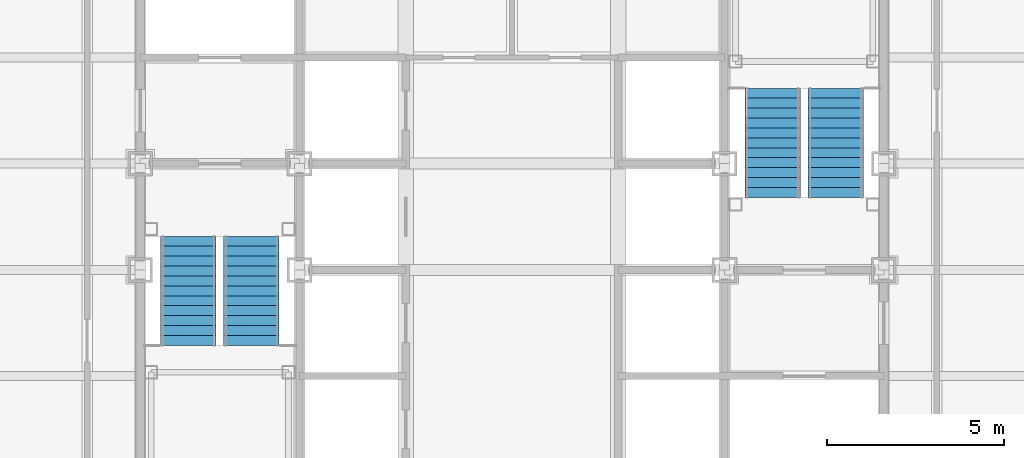
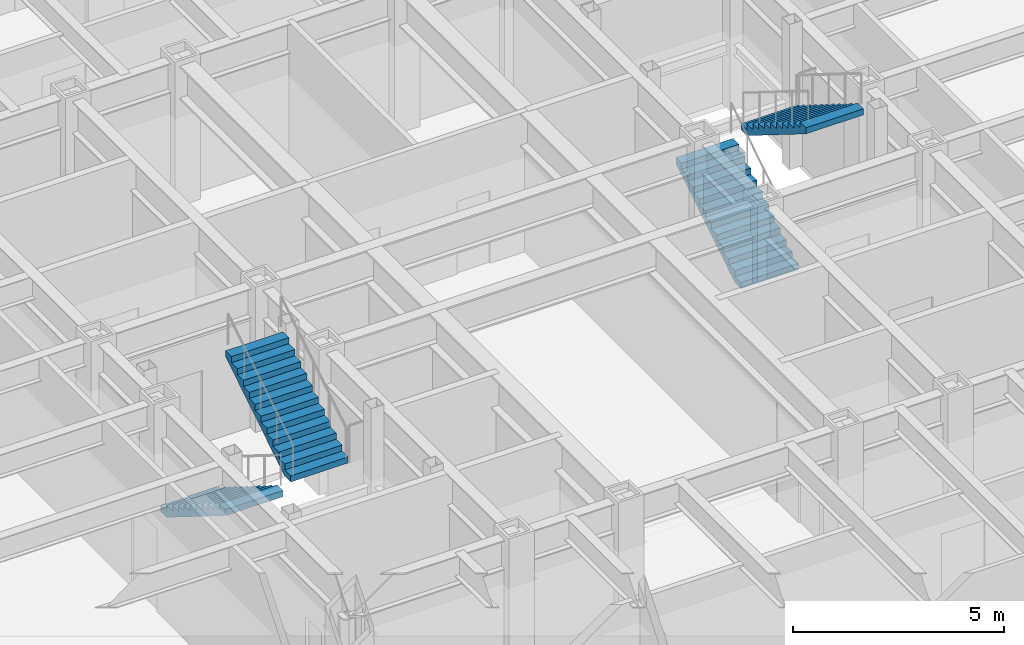
# One storey, part 13 of 16: 4 stair flights, 2 elements without a shape of their own.
"""IFC4 building model written with IfcOpenShell, lengths in metres."""

from ifc_helpers import new_model, si_unit, direction, frame, origin, place, context, subcontext, project, spatial, faceted_brep, material, type_object, element, aggregate, save


model = new_model("IFC4")

# Units and contexts
model_context = context("Model", 3, precision=1e-05, world=origin(), true_north=direction((0.0, 1.0)))
body_context = subcontext(model_context, "Body", "Model", "MODEL_VIEW")
ifc_project = project(units=[si_unit("LENGTHUNIT", "METRE"), si_unit("AREAUNIT", "SQUARE_METRE"), si_unit("VOLUMEUNIT", "CUBIC_METRE"), si_unit("PLANEANGLEUNIT", "RADIAN"), si_unit("MASSUNIT", "GRAM", prefix="KILO")], contexts=[model_context])

# Site, building, storey
site_placement = place(None, origin())
site = spatial("IfcSite", under=ifc_project, at=site_placement, CompositionType="ELEMENT")
building_placement = place(site_placement, origin())
building = spatial("IfcBuilding", under=site, at=building_placement, Name="Chuquiago Exchange Tower", CompositionType="ELEMENT")
storey_placement = place(building_placement, frame((0.0, 0.0, 115.199951171875)))
storey = spatial("IfcBuildingStorey", under=building, at=storey_placement, Name="L24", CompositionType="ELEMENT", Elevation=115.199951171875)

# Stair, stair flights
ifc_material_1 = material(Name="Concrete C30/37, precast", Category="concrete")
stair_type_1 = type_object("IfcStairType", Name="ST1 half-turn stair 4200", PredefinedType="HALF_TURN_STAIR", material=ifc_material_1)
stair_1_placement = place(storey_placement, origin())
stair_1 = element("IfcStair", 1, at=stair_1_placement, inside=storey, type_object=stair_type_1, Name="Stair ST1 L24", PredefinedType="HALF_TURN_STAIR")
ifc_material_2 = material(Name="Concrete C30/37, precast", Category="concrete")
stair_flight_type = type_object("IfcStairFlightType", Name="ST-F flight 1570 for 4200 storey", PredefinedType="STRAIGHT", material=ifc_material_2)
stair_flight_1_placement = place(storey_placement, frame((13.360107421875, 21.949951171875, 0.0), z_axis=(0.0, 0.0, 1.0), x_axis=(0.0, -1.0, 0.0)))
stair_flight_1 = element("IfcStairFlight", 2, at=stair_flight_1_placement, type_object=stair_flight_type, Name="ST1 flight 1", NumberOfRisers=12, NumberOfTreads=11, PredefinedType="STRAIGHT", RiserHeight=0.175, TreadLength=0.28, context=body_context, shape_type="Brep", body=[
    faceted_brep([(0.0, 0.78515625, 0.0), (0.0, 0.78515625, 0.175048828125), (0.280029296875, 0.78515625, 0.175048828125), (0.280029296875, 0.78515625, 0.35009765625), (0.56005859375, 0.78515625, 0.35009765625), (0.56005859375, 0.78515625, 0.52490234375), (0.840087890625, 0.78515625, 0.52490234375), (0.840087890625, 0.78515625, 0.699951171875), (1.1201171875, 0.78515625, 0.699951171875), (1.1201171875, 0.78515625, 0.875), (1.39990234375, 0.78515625, 0.875), (1.39990234375, 0.78515625, 1.050048828125), (1.679931640625, 0.78515625, 1.050048828125), (1.679931640625, 0.78515625, 1.22509765625), (1.9599609375, 0.78515625, 1.22509765625), (1.9599609375, 0.78515625, 1.39990234375), (2.239990234375, 0.78515625, 1.39990234375), (2.239990234375, 0.78515625, 1.574951171875), (2.52001953125, 0.78515625, 1.574951171875), (2.52001953125, 0.78515625, 1.75), (2.800048828125, 0.78515625, 1.75), (2.800048828125, 0.78515625, 1.925048828125), (3.080078125, 0.78515625, 1.925048828125), (3.080078125, 0.78515625, 1.748291015625), (0.28271484375, 0.78515625, 0.0), (0.28271484375, -0.78515625, 0.0), (3.080078125, -0.78515625, 1.748291015625), (3.080078125, -0.78515625, 1.925048828125), (2.800048828125, -0.78515625, 1.925048828125), (2.800048828125, -0.78515625, 1.75), (2.52001953125, -0.78515625, 1.75), (2.52001953125, -0.78515625, 1.574951171875), (2.239990234375, -0.78515625, 1.574951171875), (2.239990234375, -0.78515625, 1.39990234375), (1.9599609375, -0.78515625, 1.39990234375), (1.9599609375, -0.78515625, 1.22509765625), (1.679931640625, -0.78515625, 1.22509765625), (1.679931640625, -0.78515625, 1.050048828125), (1.39990234375, -0.78515625, 1.050048828125), (1.39990234375, -0.78515625, 0.875), (1.1201171875, -0.78515625, 0.875), (1.1201171875, -0.78515625, 0.699951171875), (0.840087890625, -0.78515625, 0.699951171875), (0.840087890625, -0.78515625, 0.52490234375), (0.56005859375, -0.78515625, 0.52490234375), (0.56005859375, -0.78515625, 0.35009765625), (0.280029296875, -0.78515625, 0.35009765625), (0.280029296875, -0.78515625, 0.175048828125), (0.0, -0.78515625, 0.175048828125), (0.0, -0.78515625, 0.0), (0.0, 0.392578125, 0.0), (0.0, 0.392578125, 0.175048828125), (0.0, 0.0, 0.0), (0.0, 0.0, 0.175048828125), (0.0, -0.392578125, 0.0), (0.0, -0.392578125, 0.175048828125), (0.280029296875, 0.392578125, 0.175048828125), (0.280029296875, 0.0, 0.175048828125), (0.280029296875, -0.392578125, 0.175048828125), (0.280029296875, 0.392578125, 0.35009765625), (0.280029296875, 0.0, 0.35009765625), (0.280029296875, -0.392578125, 0.35009765625), (0.56005859375, 0.392578125, 0.35009765625), (0.56005859375, 0.0, 0.35009765625), (0.56005859375, -0.392578125, 0.35009765625), (0.56005859375, 0.392578125, 0.52490234375), (0.56005859375, 0.0, 0.52490234375), (0.56005859375, -0.392578125, 0.52490234375), (0.840087890625, 0.392578125, 0.52490234375), (0.840087890625, 0.0, 0.52490234375), (0.840087890625, -0.392578125, 0.52490234375), (0.840087890625, 0.392578125, 0.699951171875), (0.840087890625, 0.0, 0.699951171875), (0.840087890625, -0.392578125, 0.699951171875), (1.1201171875, 0.392578125, 0.699951171875), (1.1201171875, 0.0, 0.699951171875), (1.1201171875, -0.392578125, 0.699951171875), (1.1201171875, 0.392578125, 0.875), (1.1201171875, 0.0, 0.875), (1.1201171875, -0.392578125, 0.875), (1.39990234375, 0.392578125, 0.875), (1.39990234375, 0.0, 0.875), (1.39990234375, -0.392578125, 0.875), (1.39990234375, 0.392578125, 1.050048828125), (1.39990234375, 0.0, 1.050048828125), (1.39990234375, -0.392578125, 1.050048828125), (1.679931640625, 0.392578125, 1.050048828125), (1.679931640625, 0.0, 1.050048828125), (1.679931640625, -0.392578125, 1.050048828125), (1.679931640625, 0.392578125, 1.22509765625), (1.679931640625, 0.0, 1.22509765625), (1.679931640625, -0.392578125, 1.22509765625), (1.9599609375, 0.392578125, 1.22509765625), (1.9599609375, 0.0, 1.22509765625), (1.9599609375, -0.392578125, 1.22509765625), (1.9599609375, 0.392578125, 1.39990234375), (1.9599609375, 0.0, 1.39990234375), (1.9599609375, -0.392578125, 1.39990234375), (2.239990234375, 0.392578125, 1.39990234375), (2.239990234375, 0.0, 1.39990234375), (2.239990234375, -0.392578125, 1.39990234375), (2.239990234375, 0.392578125, 1.574951171875), (2.239990234375, 0.0, 1.574951171875), (2.239990234375, -0.392578125, 1.574951171875), (2.52001953125, 0.392578125, 1.574951171875), (2.52001953125, 0.0, 1.574951171875), (2.52001953125, -0.392578125, 1.574951171875), (2.52001953125, 0.392578125, 1.75), (2.52001953125, 0.0, 1.75), (2.52001953125, -0.392578125, 1.75), (2.800048828125, 0.392578125, 1.75), (2.800048828125, 0.0, 1.75), (2.800048828125, -0.392578125, 1.75), (2.800048828125, 0.392578125, 1.925048828125), (2.800048828125, 0.0, 1.925048828125), (2.800048828125, -0.392578125, 1.925048828125), (3.080078125, 0.392578125, 1.925048828125), (3.080078125, 0.0, 1.925048828125), (3.080078125, -0.392578125, 1.925048828125), (3.080078125, 0.392578125, 1.748291015625), (3.080078125, 0.0, 1.748291015625), (3.080078125, -0.392578125, 1.748291015625), (0.28271484375, 0.392578125, 0.0), (0.28271484375, 0.0, 0.0), (0.28271484375, -0.392578125, 0.0)], [[[0, 1, 2, 3, 4, 5, 6, 7, 8, 9, 10, 11, 12, 13, 14, 15, 16, 17, 18, 19, 20, 21, 22, 23, 24]], [[25, 26, 27, 28, 29, 30, 31, 32, 33, 34, 35, 36, 37, 38, 39, 40, 41, 42, 43, 44, 45, 46, 47, 48, 49]], [[1, 0, 50, 51]], [[51, 50, 52, 53]], [[53, 52, 54, 55]], [[55, 54, 49, 48]], [[2, 1, 51, 56]], [[56, 51, 53, 57]], [[57, 53, 55, 58]], [[58, 55, 48, 47]], [[3, 2, 56, 59]], [[59, 56, 57, 60]], [[60, 57, 58, 61]], [[61, 58, 47, 46]], [[4, 3, 59, 62]], [[62, 59, 60, 63]], [[63, 60, 61, 64]], [[64, 61, 46, 45]], [[5, 4, 62, 65]], [[65, 62, 63, 66]], [[66, 63, 64, 67]], [[67, 64, 45, 44]], [[6, 5, 65, 68]], [[68, 65, 66, 69]], [[69, 66, 67, 70]], [[70, 67, 44, 43]], [[7, 6, 68, 71]], [[71, 68, 69, 72]], [[72, 69, 70, 73]], [[73, 70, 43, 42]], [[8, 7, 71, 74]], [[74, 71, 72, 75]], [[75, 72, 73, 76]], [[76, 73, 42, 41]], [[9, 8, 74, 77]], [[77, 74, 75, 78]], [[78, 75, 76, 79]], [[79, 76, 41, 40]], [[10, 9, 77, 80]], [[80, 77, 78, 81]], [[81, 78, 79, 82]], [[82, 79, 40, 39]], [[11, 10, 80, 83]], [[83, 80, 81, 84]], [[84, 81, 82, 85]], [[85, 82, 39, 38]], [[12, 11, 83, 86]], [[86, 83, 84, 87]], [[87, 84, 85, 88]], [[88, 85, 38, 37]], [[13, 12, 86, 89]], [[89, 86, 87, 90]], [[90, 87, 88, 91]], [[91, 88, 37, 36]], [[14, 13, 89, 92]], [[92, 89, 90, 93]], [[93, 90, 91, 94]], [[94, 91, 36, 35]], [[15, 14, 92, 95]], [[95, 92, 93, 96]], [[96, 93, 94, 97]], [[97, 94, 35, 34]], [[16, 15, 95, 98]], [[98, 95, 96, 99]], [[99, 96, 97, 100]], [[100, 97, 34, 33]], [[17, 16, 98, 101]], [[101, 98, 99, 102]], [[102, 99, 100, 103]], [[103, 100, 33, 32]], [[18, 17, 101, 104]], [[104, 101, 102, 105]], [[105, 102, 103, 106]], [[106, 103, 32, 31]], [[19, 18, 104, 107]], [[107, 104, 105, 108]], [[108, 105, 106, 109]], [[109, 106, 31, 30]], [[20, 19, 107, 110]], [[110, 107, 108, 111]], [[111, 108, 109, 112]], [[112, 109, 30, 29]], [[21, 20, 110, 113]], [[113, 110, 111, 114]], [[114, 111, 112, 115]], [[115, 112, 29, 28]], [[22, 21, 113, 116]], [[116, 113, 114, 117]], [[117, 114, 115, 118]], [[118, 115, 28, 27]], [[23, 22, 116, 119]], [[119, 116, 117, 120]], [[120, 117, 118, 121]], [[121, 118, 27, 26]], [[24, 23, 119, 122]], [[122, 119, 120, 123]], [[123, 120, 121, 124]], [[124, 121, 26, 25]], [[0, 24, 122, 50]], [[50, 122, 123, 52]], [[52, 123, 124, 54]], [[54, 124, 25, 49]]]),
])
stair_flight_2_placement = place(storey_placement, frame((15.139892578125, 18.8701171875, 2.10009765625), z_axis=(0.0, 0.0, 1.0), x_axis=(0.0, 1.0, 0.0)))
stair_flight_2 = element("IfcStairFlight", 3, at=stair_flight_2_placement, type_object=stair_flight_type, Name="ST1 flight 2", NumberOfRisers=12, NumberOfTreads=11, PredefinedType="STRAIGHT", RiserHeight=0.175, TreadLength=0.28, context=body_context, shape_type="Brep", body=[
    faceted_brep([(0.0, 0.78515625, 0.0), (0.0, 0.78515625, 0.175048828125), (0.280029296875, 0.78515625, 0.175048828125), (0.280029296875, 0.78515625, 0.35009765625), (0.56005859375, 0.78515625, 0.35009765625), (0.56005859375, 0.78515625, 0.52490234375), (0.840087890625, 0.78515625, 0.52490234375), (0.840087890625, 0.78515625, 0.699951171875), (1.1201171875, 0.78515625, 0.699951171875), (1.1201171875, 0.78515625, 0.875), (1.39990234375, 0.78515625, 0.875), (1.39990234375, 0.78515625, 1.050048828125), (1.679931640625, 0.78515625, 1.050048828125), (1.679931640625, 0.78515625, 1.22509765625), (1.9599609375, 0.78515625, 1.22509765625), (1.9599609375, 0.78515625, 1.39990234375), (2.239990234375, 0.78515625, 1.39990234375), (2.239990234375, 0.78515625, 1.574951171875), (2.52001953125, 0.78515625, 1.574951171875), (2.52001953125, 0.78515625, 1.75), (2.800048828125, 0.78515625, 1.75), (2.800048828125, 0.78515625, 1.925048828125), (3.080078125, 0.78515625, 1.925048828125), (3.080078125, 0.78515625, 1.748291015625), (0.28271484375, 0.78515625, 0.0), (0.28271484375, -0.78515625, 0.0), (3.080078125, -0.78515625, 1.748291015625), (3.080078125, -0.78515625, 1.925048828125), (2.800048828125, -0.78515625, 1.925048828125), (2.800048828125, -0.78515625, 1.75), (2.52001953125, -0.78515625, 1.75), (2.52001953125, -0.78515625, 1.574951171875), (2.239990234375, -0.78515625, 1.574951171875), (2.239990234375, -0.78515625, 1.39990234375), (1.9599609375, -0.78515625, 1.39990234375), (1.9599609375, -0.78515625, 1.22509765625), (1.679931640625, -0.78515625, 1.22509765625), (1.679931640625, -0.78515625, 1.050048828125), (1.39990234375, -0.78515625, 1.050048828125), (1.39990234375, -0.78515625, 0.875), (1.1201171875, -0.78515625, 0.875), (1.1201171875, -0.78515625, 0.699951171875), (0.840087890625, -0.78515625, 0.699951171875), (0.840087890625, -0.78515625, 0.52490234375), (0.56005859375, -0.78515625, 0.52490234375), (0.56005859375, -0.78515625, 0.35009765625), (0.280029296875, -0.78515625, 0.35009765625), (0.280029296875, -0.78515625, 0.175048828125), (0.0, -0.78515625, 0.175048828125), (0.0, -0.78515625, 0.0), (0.0, 0.392578125, 0.0), (0.0, 0.392578125, 0.175048828125), (0.0, 0.0, 0.0), (0.0, 0.0, 0.175048828125), (0.0, -0.392578125, 0.0), (0.0, -0.392578125, 0.175048828125), (0.280029296875, 0.392578125, 0.175048828125), (0.280029296875, 0.0, 0.175048828125), (0.280029296875, -0.392578125, 0.175048828125), (0.280029296875, 0.392578125, 0.35009765625), (0.280029296875, 0.0, 0.35009765625), (0.280029296875, -0.392578125, 0.35009765625), (0.56005859375, 0.392578125, 0.35009765625), (0.56005859375, 0.0, 0.35009765625), (0.56005859375, -0.392578125, 0.35009765625), (0.56005859375, 0.392578125, 0.52490234375), (0.56005859375, 0.0, 0.52490234375), (0.56005859375, -0.392578125, 0.52490234375), (0.840087890625, 0.392578125, 0.52490234375), (0.840087890625, 0.0, 0.52490234375), (0.840087890625, -0.392578125, 0.52490234375), (0.840087890625, 0.392578125, 0.699951171875), (0.840087890625, 0.0, 0.699951171875), (0.840087890625, -0.392578125, 0.699951171875), (1.1201171875, 0.392578125, 0.699951171875), (1.1201171875, 0.0, 0.699951171875), (1.1201171875, -0.392578125, 0.699951171875), (1.1201171875, 0.392578125, 0.875), (1.1201171875, 0.0, 0.875), (1.1201171875, -0.392578125, 0.875), (1.39990234375, 0.392578125, 0.875), (1.39990234375, 0.0, 0.875), (1.39990234375, -0.392578125, 0.875), (1.39990234375, 0.392578125, 1.050048828125), (1.39990234375, 0.0, 1.050048828125), (1.39990234375, -0.392578125, 1.050048828125), (1.679931640625, 0.392578125, 1.050048828125), (1.679931640625, 0.0, 1.050048828125), (1.679931640625, -0.392578125, 1.050048828125), (1.679931640625, 0.392578125, 1.22509765625), (1.679931640625, 0.0, 1.22509765625), (1.679931640625, -0.392578125, 1.22509765625), (1.9599609375, 0.392578125, 1.22509765625), (1.9599609375, 0.0, 1.22509765625), (1.9599609375, -0.392578125, 1.22509765625), (1.9599609375, 0.392578125, 1.39990234375), (1.9599609375, 0.0, 1.39990234375), (1.9599609375, -0.392578125, 1.39990234375), (2.239990234375, 0.392578125, 1.39990234375), (2.239990234375, 0.0, 1.39990234375), (2.239990234375, -0.392578125, 1.39990234375), (2.239990234375, 0.392578125, 1.574951171875), (2.239990234375, 0.0, 1.574951171875), (2.239990234375, -0.392578125, 1.574951171875), (2.52001953125, 0.392578125, 1.574951171875), (2.52001953125, 0.0, 1.574951171875), (2.52001953125, -0.392578125, 1.574951171875), (2.52001953125, 0.392578125, 1.75), (2.52001953125, 0.0, 1.75), (2.52001953125, -0.392578125, 1.75), (2.800048828125, 0.392578125, 1.75), (2.800048828125, 0.0, 1.75), (2.800048828125, -0.392578125, 1.75), (2.800048828125, 0.392578125, 1.925048828125), (2.800048828125, 0.0, 1.925048828125), (2.800048828125, -0.392578125, 1.925048828125), (3.080078125, 0.392578125, 1.925048828125), (3.080078125, 0.0, 1.925048828125), (3.080078125, -0.392578125, 1.925048828125), (3.080078125, 0.392578125, 1.748291015625), (3.080078125, 0.0, 1.748291015625), (3.080078125, -0.392578125, 1.748291015625), (0.28271484375, 0.392578125, 0.0), (0.28271484375, 0.0, 0.0), (0.28271484375, -0.392578125, 0.0)], [[[0, 1, 2, 3, 4, 5, 6, 7, 8, 9, 10, 11, 12, 13, 14, 15, 16, 17, 18, 19, 20, 21, 22, 23, 24]], [[25, 26, 27, 28, 29, 30, 31, 32, 33, 34, 35, 36, 37, 38, 39, 40, 41, 42, 43, 44, 45, 46, 47, 48, 49]], [[1, 0, 50, 51]], [[51, 50, 52, 53]], [[53, 52, 54, 55]], [[55, 54, 49, 48]], [[2, 1, 51, 56]], [[56, 51, 53, 57]], [[57, 53, 55, 58]], [[58, 55, 48, 47]], [[3, 2, 56, 59]], [[59, 56, 57, 60]], [[60, 57, 58, 61]], [[61, 58, 47, 46]], [[4, 3, 59, 62]], [[62, 59, 60, 63]], [[63, 60, 61, 64]], [[64, 61, 46, 45]], [[5, 4, 62, 65]], [[65, 62, 63, 66]], [[66, 63, 64, 67]], [[67, 64, 45, 44]], [[6, 5, 65, 68]], [[68, 65, 66, 69]], [[69, 66, 67, 70]], [[70, 67, 44, 43]], [[7, 6, 68, 71]], [[71, 68, 69, 72]], [[72, 69, 70, 73]], [[73, 70, 43, 42]], [[8, 7, 71, 74]], [[74, 71, 72, 75]], [[75, 72, 73, 76]], [[76, 73, 42, 41]], [[9, 8, 74, 77]], [[77, 74, 75, 78]], [[78, 75, 76, 79]], [[79, 76, 41, 40]], [[10, 9, 77, 80]], [[80, 77, 78, 81]], [[81, 78, 79, 82]], [[82, 79, 40, 39]], [[11, 10, 80, 83]], [[83, 80, 81, 84]], [[84, 81, 82, 85]], [[85, 82, 39, 38]], [[12, 11, 83, 86]], [[86, 83, 84, 87]], [[87, 84, 85, 88]], [[88, 85, 38, 37]], [[13, 12, 86, 89]], [[89, 86, 87, 90]], [[90, 87, 88, 91]], [[91, 88, 37, 36]], [[14, 13, 89, 92]], [[92, 89, 90, 93]], [[93, 90, 91, 94]], [[94, 91, 36, 35]], [[15, 14, 92, 95]], [[95, 92, 93, 96]], [[96, 93, 94, 97]], [[97, 94, 35, 34]], [[16, 15, 95, 98]], [[98, 95, 96, 99]], [[99, 96, 97, 100]], [[100, 97, 34, 33]], [[17, 16, 98, 101]], [[101, 98, 99, 102]], [[102, 99, 100, 103]], [[103, 100, 33, 32]], [[18, 17, 101, 104]], [[104, 101, 102, 105]], [[105, 102, 103, 106]], [[106, 103, 32, 31]], [[19, 18, 104, 107]], [[107, 104, 105, 108]], [[108, 105, 106, 109]], [[109, 106, 31, 30]], [[20, 19, 107, 110]], [[110, 107, 108, 111]], [[111, 108, 109, 112]], [[112, 109, 30, 29]], [[21, 20, 110, 113]], [[113, 110, 111, 114]], [[114, 111, 112, 115]], [[115, 112, 29, 28]], [[22, 21, 113, 116]], [[116, 113, 114, 117]], [[117, 114, 115, 118]], [[118, 115, 28, 27]], [[23, 22, 116, 119]], [[119, 116, 117, 120]], [[120, 117, 118, 121]], [[121, 118, 27, 26]], [[24, 23, 119, 122]], [[122, 119, 120, 123]], [[123, 120, 121, 124]], [[124, 121, 26, 25]], [[0, 24, 122, 50]], [[50, 122, 123, 52]], [[52, 123, 124, 54]], [[54, 124, 25, 49]]]),
])
aggregate(stair_1, [stair_flight_1, stair_flight_2])

ifc_material_3 = material(Name="Concrete C30/37, precast", Category="concrete")
stair_type_2 = type_object("IfcStairType", Name="ST2 half-turn stair 4200", PredefinedType="HALF_TURN_STAIR", material=ifc_material_3)
stair_2_placement = place(storey_placement, origin())
stair_2 = element("IfcStair", 4, at=stair_2_placement, inside=storey, type_object=stair_type_2, Name="Stair ST2 L24", PredefinedType="HALF_TURN_STAIR")
stair_flight_3_placement = place(storey_placement, frame((29.860107421875, 23.050048828125, 0.0), z_axis=(0.0, 0.0, 1.0), x_axis=(0.0, 1.0, 0.0)))
stair_flight_3 = element("IfcStairFlight", 5, at=stair_flight_3_placement, type_object=stair_flight_type, Name="ST2 flight 1", NumberOfRisers=12, NumberOfTreads=11, PredefinedType="STRAIGHT", RiserHeight=0.175, TreadLength=0.28, context=body_context, shape_type="Brep", body=[
    faceted_brep([(0.0, 0.78515625, 0.0), (0.0, 0.78515625, 0.175048828125), (0.280029296875, 0.78515625, 0.175048828125), (0.280029296875, 0.78515625, 0.35009765625), (0.56005859375, 0.78515625, 0.35009765625), (0.56005859375, 0.78515625, 0.52490234375), (0.840087890625, 0.78515625, 0.52490234375), (0.840087890625, 0.78515625, 0.699951171875), (1.1201171875, 0.78515625, 0.699951171875), (1.1201171875, 0.78515625, 0.875), (1.39990234375, 0.78515625, 0.875), (1.39990234375, 0.78515625, 1.050048828125), (1.679931640625, 0.78515625, 1.050048828125), (1.679931640625, 0.78515625, 1.22509765625), (1.9599609375, 0.78515625, 1.22509765625), (1.9599609375, 0.78515625, 1.39990234375), (2.239990234375, 0.78515625, 1.39990234375), (2.239990234375, 0.78515625, 1.574951171875), (2.52001953125, 0.78515625, 1.574951171875), (2.52001953125, 0.78515625, 1.75), (2.800048828125, 0.78515625, 1.75), (2.800048828125, 0.78515625, 1.925048828125), (3.080078125, 0.78515625, 1.925048828125), (3.080078125, 0.78515625, 1.748291015625), (0.28271484375, 0.78515625, 0.0), (0.28271484375, -0.78515625, 0.0), (3.080078125, -0.78515625, 1.748291015625), (3.080078125, -0.78515625, 1.925048828125), (2.800048828125, -0.78515625, 1.925048828125), (2.800048828125, -0.78515625, 1.75), (2.52001953125, -0.78515625, 1.75), (2.52001953125, -0.78515625, 1.574951171875), (2.239990234375, -0.78515625, 1.574951171875), (2.239990234375, -0.78515625, 1.39990234375), (1.9599609375, -0.78515625, 1.39990234375), (1.9599609375, -0.78515625, 1.22509765625), (1.679931640625, -0.78515625, 1.22509765625), (1.679931640625, -0.78515625, 1.050048828125), (1.39990234375, -0.78515625, 1.050048828125), (1.39990234375, -0.78515625, 0.875), (1.1201171875, -0.78515625, 0.875), (1.1201171875, -0.78515625, 0.699951171875), (0.840087890625, -0.78515625, 0.699951171875), (0.840087890625, -0.78515625, 0.52490234375), (0.56005859375, -0.78515625, 0.52490234375), (0.56005859375, -0.78515625, 0.35009765625), (0.280029296875, -0.78515625, 0.35009765625), (0.280029296875, -0.78515625, 0.175048828125), (0.0, -0.78515625, 0.175048828125), (0.0, -0.78515625, 0.0), (0.0, 0.392578125, 0.0), (0.0, 0.392578125, 0.175048828125), (0.0, 0.0, 0.0), (0.0, 0.0, 0.175048828125), (0.0, -0.392578125, 0.0), (0.0, -0.392578125, 0.175048828125), (0.280029296875, 0.392578125, 0.175048828125), (0.280029296875, 0.0, 0.175048828125), (0.280029296875, -0.392578125, 0.175048828125), (0.280029296875, 0.392578125, 0.35009765625), (0.280029296875, 0.0, 0.35009765625), (0.280029296875, -0.392578125, 0.35009765625), (0.56005859375, 0.392578125, 0.35009765625), (0.56005859375, 0.0, 0.35009765625), (0.56005859375, -0.392578125, 0.35009765625), (0.56005859375, 0.392578125, 0.52490234375), (0.56005859375, 0.0, 0.52490234375), (0.56005859375, -0.392578125, 0.52490234375), (0.840087890625, 0.392578125, 0.52490234375), (0.840087890625, 0.0, 0.52490234375), (0.840087890625, -0.392578125, 0.52490234375), (0.840087890625, 0.392578125, 0.699951171875), (0.840087890625, 0.0, 0.699951171875), (0.840087890625, -0.392578125, 0.699951171875), (1.1201171875, 0.392578125, 0.699951171875), (1.1201171875, 0.0, 0.699951171875), (1.1201171875, -0.392578125, 0.699951171875), (1.1201171875, 0.392578125, 0.875), (1.1201171875, 0.0, 0.875), (1.1201171875, -0.392578125, 0.875), (1.39990234375, 0.392578125, 0.875), (1.39990234375, 0.0, 0.875), (1.39990234375, -0.392578125, 0.875), (1.39990234375, 0.392578125, 1.050048828125), (1.39990234375, 0.0, 1.050048828125), (1.39990234375, -0.392578125, 1.050048828125), (1.679931640625, 0.392578125, 1.050048828125), (1.679931640625, 0.0, 1.050048828125), (1.679931640625, -0.392578125, 1.050048828125), (1.679931640625, 0.392578125, 1.22509765625), (1.679931640625, 0.0, 1.22509765625), (1.679931640625, -0.392578125, 1.22509765625), (1.9599609375, 0.392578125, 1.22509765625), (1.9599609375, 0.0, 1.22509765625), (1.9599609375, -0.392578125, 1.22509765625), (1.9599609375, 0.392578125, 1.39990234375), (1.9599609375, 0.0, 1.39990234375), (1.9599609375, -0.392578125, 1.39990234375), (2.239990234375, 0.392578125, 1.39990234375), (2.239990234375, 0.0, 1.39990234375), (2.239990234375, -0.392578125, 1.39990234375), (2.239990234375, 0.392578125, 1.574951171875), (2.239990234375, 0.0, 1.574951171875), (2.239990234375, -0.392578125, 1.574951171875), (2.52001953125, 0.392578125, 1.574951171875), (2.52001953125, 0.0, 1.574951171875), (2.52001953125, -0.392578125, 1.574951171875), (2.52001953125, 0.392578125, 1.75), (2.52001953125, 0.0, 1.75), (2.52001953125, -0.392578125, 1.75), (2.800048828125, 0.392578125, 1.75), (2.800048828125, 0.0, 1.75), (2.800048828125, -0.392578125, 1.75), (2.800048828125, 0.392578125, 1.925048828125), (2.800048828125, 0.0, 1.925048828125), (2.800048828125, -0.392578125, 1.925048828125), (3.080078125, 0.392578125, 1.925048828125), (3.080078125, 0.0, 1.925048828125), (3.080078125, -0.392578125, 1.925048828125), (3.080078125, 0.392578125, 1.748291015625), (3.080078125, 0.0, 1.748291015625), (3.080078125, -0.392578125, 1.748291015625), (0.28271484375, 0.392578125, 0.0), (0.28271484375, 0.0, 0.0), (0.28271484375, -0.392578125, 0.0)], [[[0, 1, 2, 3, 4, 5, 6, 7, 8, 9, 10, 11, 12, 13, 14, 15, 16, 17, 18, 19, 20, 21, 22, 23, 24]], [[25, 26, 27, 28, 29, 30, 31, 32, 33, 34, 35, 36, 37, 38, 39, 40, 41, 42, 43, 44, 45, 46, 47, 48, 49]], [[1, 0, 50, 51]], [[51, 50, 52, 53]], [[53, 52, 54, 55]], [[55, 54, 49, 48]], [[2, 1, 51, 56]], [[56, 51, 53, 57]], [[57, 53, 55, 58]], [[58, 55, 48, 47]], [[3, 2, 56, 59]], [[59, 56, 57, 60]], [[60, 57, 58, 61]], [[61, 58, 47, 46]], [[4, 3, 59, 62]], [[62, 59, 60, 63]], [[63, 60, 61, 64]], [[64, 61, 46, 45]], [[5, 4, 62, 65]], [[65, 62, 63, 66]], [[66, 63, 64, 67]], [[67, 64, 45, 44]], [[6, 5, 65, 68]], [[68, 65, 66, 69]], [[69, 66, 67, 70]], [[70, 67, 44, 43]], [[7, 6, 68, 71]], [[71, 68, 69, 72]], [[72, 69, 70, 73]], [[73, 70, 43, 42]], [[8, 7, 71, 74]], [[74, 71, 72, 75]], [[75, 72, 73, 76]], [[76, 73, 42, 41]], [[9, 8, 74, 77]], [[77, 74, 75, 78]], [[78, 75, 76, 79]], [[79, 76, 41, 40]], [[10, 9, 77, 80]], [[80, 77, 78, 81]], [[81, 78, 79, 82]], [[82, 79, 40, 39]], [[11, 10, 80, 83]], [[83, 80, 81, 84]], [[84, 81, 82, 85]], [[85, 82, 39, 38]], [[12, 11, 83, 86]], [[86, 83, 84, 87]], [[87, 84, 85, 88]], [[88, 85, 38, 37]], [[13, 12, 86, 89]], [[89, 86, 87, 90]], [[90, 87, 88, 91]], [[91, 88, 37, 36]], [[14, 13, 89, 92]], [[92, 89, 90, 93]], [[93, 90, 91, 94]], [[94, 91, 36, 35]], [[15, 14, 92, 95]], [[95, 92, 93, 96]], [[96, 93, 94, 97]], [[97, 94, 35, 34]], [[16, 15, 95, 98]], [[98, 95, 96, 99]], [[99, 96, 97, 100]], [[100, 97, 34, 33]], [[17, 16, 98, 101]], [[101, 98, 99, 102]], [[102, 99, 100, 103]], [[103, 100, 33, 32]], [[18, 17, 101, 104]], [[104, 101, 102, 105]], [[105, 102, 103, 106]], [[106, 103, 32, 31]], [[19, 18, 104, 107]], [[107, 104, 105, 108]], [[108, 105, 106, 109]], [[109, 106, 31, 30]], [[20, 19, 107, 110]], [[110, 107, 108, 111]], [[111, 108, 109, 112]], [[112, 109, 30, 29]], [[21, 20, 110, 113]], [[113, 110, 111, 114]], [[114, 111, 112, 115]], [[115, 112, 29, 28]], [[22, 21, 113, 116]], [[116, 113, 114, 117]], [[117, 114, 115, 118]], [[118, 115, 28, 27]], [[23, 22, 116, 119]], [[119, 116, 117, 120]], [[120, 117, 118, 121]], [[121, 118, 27, 26]], [[24, 23, 119, 122]], [[122, 119, 120, 123]], [[123, 120, 121, 124]], [[124, 121, 26, 25]], [[0, 24, 122, 50]], [[50, 122, 123, 52]], [[52, 123, 124, 54]], [[54, 124, 25, 49]]]),
])
stair_flight_4_placement = place(storey_placement, frame((31.639892578125, 26.1298828125, 2.10009765625), z_axis=(0.0, 0.0, 1.0), x_axis=(0.0, -1.0, 0.0)))
stair_flight_4 = element("IfcStairFlight", 6, at=stair_flight_4_placement, type_object=stair_flight_type, Name="ST2 flight 2", NumberOfRisers=12, NumberOfTreads=11, PredefinedType="STRAIGHT", RiserHeight=0.175, TreadLength=0.28, context=body_context, shape_type="Brep", body=[
    faceted_brep([(0.0, 0.78515625, 0.0), (0.0, 0.78515625, 0.175048828125), (0.280029296875, 0.78515625, 0.175048828125), (0.280029296875, 0.78515625, 0.35009765625), (0.56005859375, 0.78515625, 0.35009765625), (0.56005859375, 0.78515625, 0.52490234375), (0.840087890625, 0.78515625, 0.52490234375), (0.840087890625, 0.78515625, 0.699951171875), (1.1201171875, 0.78515625, 0.699951171875), (1.1201171875, 0.78515625, 0.875), (1.39990234375, 0.78515625, 0.875), (1.39990234375, 0.78515625, 1.050048828125), (1.679931640625, 0.78515625, 1.050048828125), (1.679931640625, 0.78515625, 1.22509765625), (1.9599609375, 0.78515625, 1.22509765625), (1.9599609375, 0.78515625, 1.39990234375), (2.239990234375, 0.78515625, 1.39990234375), (2.239990234375, 0.78515625, 1.574951171875), (2.52001953125, 0.78515625, 1.574951171875), (2.52001953125, 0.78515625, 1.75), (2.800048828125, 0.78515625, 1.75), (2.800048828125, 0.78515625, 1.925048828125), (3.080078125, 0.78515625, 1.925048828125), (3.080078125, 0.78515625, 1.748291015625), (0.28271484375, 0.78515625, 0.0), (0.28271484375, -0.78515625, 0.0), (3.080078125, -0.78515625, 1.748291015625), (3.080078125, -0.78515625, 1.925048828125), (2.800048828125, -0.78515625, 1.925048828125), (2.800048828125, -0.78515625, 1.75), (2.52001953125, -0.78515625, 1.75), (2.52001953125, -0.78515625, 1.574951171875), (2.239990234375, -0.78515625, 1.574951171875), (2.239990234375, -0.78515625, 1.39990234375), (1.9599609375, -0.78515625, 1.39990234375), (1.9599609375, -0.78515625, 1.22509765625), (1.679931640625, -0.78515625, 1.22509765625), (1.679931640625, -0.78515625, 1.050048828125), (1.39990234375, -0.78515625, 1.050048828125), (1.39990234375, -0.78515625, 0.875), (1.1201171875, -0.78515625, 0.875), (1.1201171875, -0.78515625, 0.699951171875), (0.840087890625, -0.78515625, 0.699951171875), (0.840087890625, -0.78515625, 0.52490234375), (0.56005859375, -0.78515625, 0.52490234375), (0.56005859375, -0.78515625, 0.35009765625), (0.280029296875, -0.78515625, 0.35009765625), (0.280029296875, -0.78515625, 0.175048828125), (0.0, -0.78515625, 0.175048828125), (0.0, -0.78515625, 0.0), (0.0, 0.392578125, 0.0), (0.0, 0.392578125, 0.175048828125), (0.0, 0.0, 0.0), (0.0, 0.0, 0.175048828125), (0.0, -0.392578125, 0.0), (0.0, -0.392578125, 0.175048828125), (0.280029296875, 0.392578125, 0.175048828125), (0.280029296875, 0.0, 0.175048828125), (0.280029296875, -0.392578125, 0.175048828125), (0.280029296875, 0.392578125, 0.35009765625), (0.280029296875, 0.0, 0.35009765625), (0.280029296875, -0.392578125, 0.35009765625), (0.56005859375, 0.392578125, 0.35009765625), (0.56005859375, 0.0, 0.35009765625), (0.56005859375, -0.392578125, 0.35009765625), (0.56005859375, 0.392578125, 0.52490234375), (0.56005859375, 0.0, 0.52490234375), (0.56005859375, -0.392578125, 0.52490234375), (0.840087890625, 0.392578125, 0.52490234375), (0.840087890625, 0.0, 0.52490234375), (0.840087890625, -0.392578125, 0.52490234375), (0.840087890625, 0.392578125, 0.699951171875), (0.840087890625, 0.0, 0.699951171875), (0.840087890625, -0.392578125, 0.699951171875), (1.1201171875, 0.392578125, 0.699951171875), (1.1201171875, 0.0, 0.699951171875), (1.1201171875, -0.392578125, 0.699951171875), (1.1201171875, 0.392578125, 0.875), (1.1201171875, 0.0, 0.875), (1.1201171875, -0.392578125, 0.875), (1.39990234375, 0.392578125, 0.875), (1.39990234375, 0.0, 0.875), (1.39990234375, -0.392578125, 0.875), (1.39990234375, 0.392578125, 1.050048828125), (1.39990234375, 0.0, 1.050048828125), (1.39990234375, -0.392578125, 1.050048828125), (1.679931640625, 0.392578125, 1.050048828125), (1.679931640625, 0.0, 1.050048828125), (1.679931640625, -0.392578125, 1.050048828125), (1.679931640625, 0.392578125, 1.22509765625), (1.679931640625, 0.0, 1.22509765625), (1.679931640625, -0.392578125, 1.22509765625), (1.9599609375, 0.392578125, 1.22509765625), (1.9599609375, 0.0, 1.22509765625), (1.9599609375, -0.392578125, 1.22509765625), (1.9599609375, 0.392578125, 1.39990234375), (1.9599609375, 0.0, 1.39990234375), (1.9599609375, -0.392578125, 1.39990234375), (2.239990234375, 0.392578125, 1.39990234375), (2.239990234375, 0.0, 1.39990234375), (2.239990234375, -0.392578125, 1.39990234375), (2.239990234375, 0.392578125, 1.574951171875), (2.239990234375, 0.0, 1.574951171875), (2.239990234375, -0.392578125, 1.574951171875), (2.52001953125, 0.392578125, 1.574951171875), (2.52001953125, 0.0, 1.574951171875), (2.52001953125, -0.392578125, 1.574951171875), (2.52001953125, 0.392578125, 1.75), (2.52001953125, 0.0, 1.75), (2.52001953125, -0.392578125, 1.75), (2.800048828125, 0.392578125, 1.75), (2.800048828125, 0.0, 1.75), (2.800048828125, -0.392578125, 1.75), (2.800048828125, 0.392578125, 1.925048828125), (2.800048828125, 0.0, 1.925048828125), (2.800048828125, -0.392578125, 1.925048828125), (3.080078125, 0.392578125, 1.925048828125), (3.080078125, 0.0, 1.925048828125), (3.080078125, -0.392578125, 1.925048828125), (3.080078125, 0.392578125, 1.748291015625), (3.080078125, 0.0, 1.748291015625), (3.080078125, -0.392578125, 1.748291015625), (0.28271484375, 0.392578125, 0.0), (0.28271484375, 0.0, 0.0), (0.28271484375, -0.392578125, 0.0)], [[[0, 1, 2, 3, 4, 5, 6, 7, 8, 9, 10, 11, 12, 13, 14, 15, 16, 17, 18, 19, 20, 21, 22, 23, 24]], [[25, 26, 27, 28, 29, 30, 31, 32, 33, 34, 35, 36, 37, 38, 39, 40, 41, 42, 43, 44, 45, 46, 47, 48, 49]], [[1, 0, 50, 51]], [[51, 50, 52, 53]], [[53, 52, 54, 55]], [[55, 54, 49, 48]], [[2, 1, 51, 56]], [[56, 51, 53, 57]], [[57, 53, 55, 58]], [[58, 55, 48, 47]], [[3, 2, 56, 59]], [[59, 56, 57, 60]], [[60, 57, 58, 61]], [[61, 58, 47, 46]], [[4, 3, 59, 62]], [[62, 59, 60, 63]], [[63, 60, 61, 64]], [[64, 61, 46, 45]], [[5, 4, 62, 65]], [[65, 62, 63, 66]], [[66, 63, 64, 67]], [[67, 64, 45, 44]], [[6, 5, 65, 68]], [[68, 65, 66, 69]], [[69, 66, 67, 70]], [[70, 67, 44, 43]], [[7, 6, 68, 71]], [[71, 68, 69, 72]], [[72, 69, 70, 73]], [[73, 70, 43, 42]], [[8, 7, 71, 74]], [[74, 71, 72, 75]], [[75, 72, 73, 76]], [[76, 73, 42, 41]], [[9, 8, 74, 77]], [[77, 74, 75, 78]], [[78, 75, 76, 79]], [[79, 76, 41, 40]], [[10, 9, 77, 80]], [[80, 77, 78, 81]], [[81, 78, 79, 82]], [[82, 79, 40, 39]], [[11, 10, 80, 83]], [[83, 80, 81, 84]], [[84, 81, 82, 85]], [[85, 82, 39, 38]], [[12, 11, 83, 86]], [[86, 83, 84, 87]], [[87, 84, 85, 88]], [[88, 85, 38, 37]], [[13, 12, 86, 89]], [[89, 86, 87, 90]], [[90, 87, 88, 91]], [[91, 88, 37, 36]], [[14, 13, 89, 92]], [[92, 89, 90, 93]], [[93, 90, 91, 94]], [[94, 91, 36, 35]], [[15, 14, 92, 95]], [[95, 92, 93, 96]], [[96, 93, 94, 97]], [[97, 94, 35, 34]], [[16, 15, 95, 98]], [[98, 95, 96, 99]], [[99, 96, 97, 100]], [[100, 97, 34, 33]], [[17, 16, 98, 101]], [[101, 98, 99, 102]], [[102, 99, 100, 103]], [[103, 100, 33, 32]], [[18, 17, 101, 104]], [[104, 101, 102, 105]], [[105, 102, 103, 106]], [[106, 103, 32, 31]], [[19, 18, 104, 107]], [[107, 104, 105, 108]], [[108, 105, 106, 109]], [[109, 106, 31, 30]], [[20, 19, 107, 110]], [[110, 107, 108, 111]], [[111, 108, 109, 112]], [[112, 109, 30, 29]], [[21, 20, 110, 113]], [[113, 110, 111, 114]], [[114, 111, 112, 115]], [[115, 112, 29, 28]], [[22, 21, 113, 116]], [[116, 113, 114, 117]], [[117, 114, 115, 118]], [[118, 115, 28, 27]], [[23, 22, 116, 119]], [[119, 116, 117, 120]], [[120, 117, 118, 121]], [[121, 118, 27, 26]], [[24, 23, 119, 122]], [[122, 119, 120, 123]], [[123, 120, 121, 124]], [[124, 121, 26, 25]], [[0, 24, 122, 50]], [[50, 122, 123, 52]], [[52, 123, 124, 54]], [[54, 124, 25, 49]]]),
])
aggregate(stair_2, [stair_flight_3, stair_flight_4])

save(model, "model.ifc")
